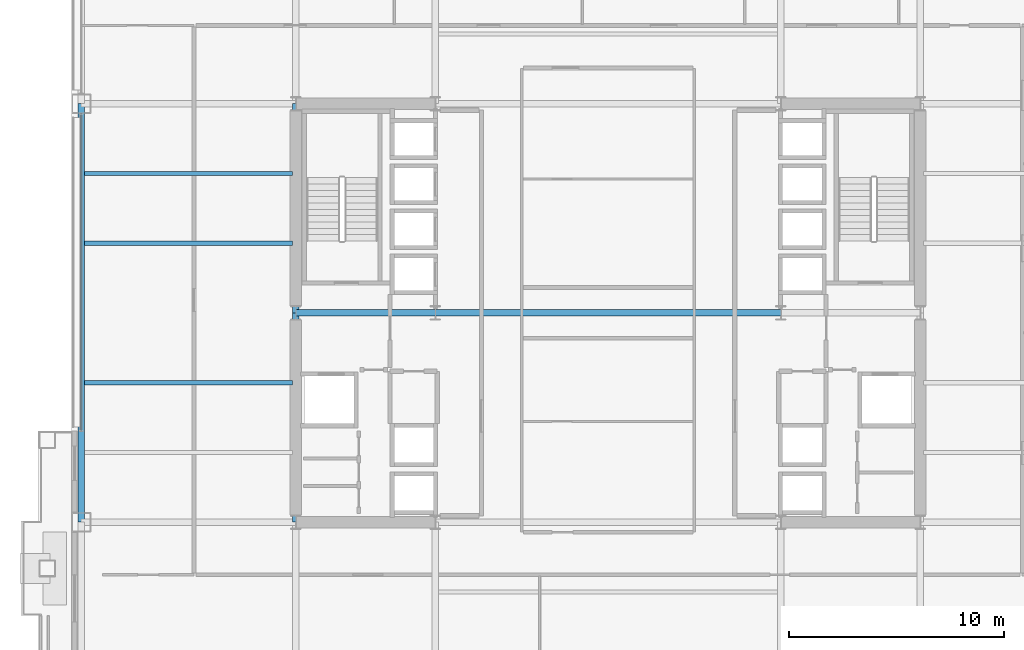
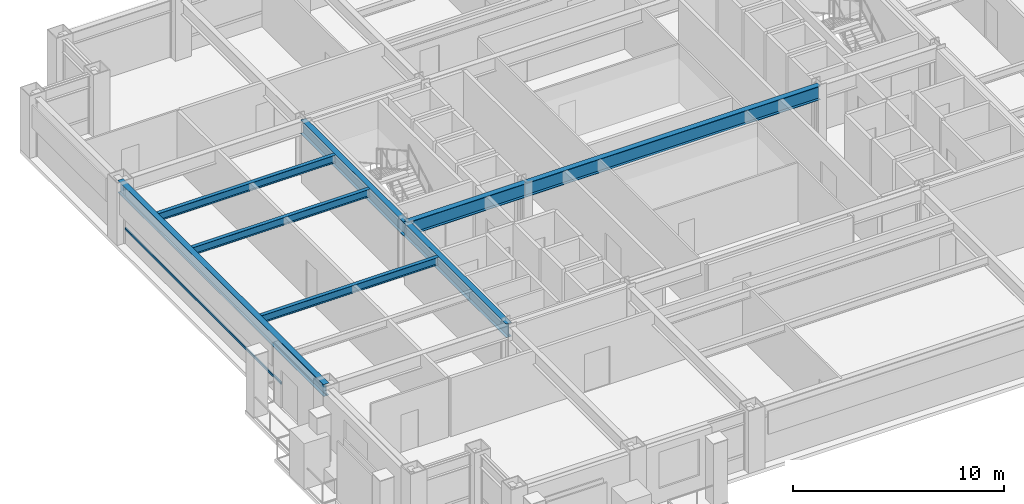
# One storey, part 7 of 28: 8 beams, 1 member, 1 element without a shape of its own.
"""IFC4 building model written with IfcOpenShell, lengths in metres."""

from ifc_helpers import new_model, si_unit, direction, frame, origin, origin_2d, place, context, subcontext, project, spatial, hollow_rectangle, i_section, extrude, material, layer, layer_set, material_profile, profile_set, type_object, element, aggregate, save


model = new_model("IFC4")

# Units and contexts
model_context = context("Model", 3, precision=1e-05, world=origin(), true_north=direction((0.0, 1.0)))
body_context = subcontext(model_context, "Body", "Model", "MODEL_VIEW")
ifc_project = project(units=[si_unit("LENGTHUNIT", "METRE"), si_unit("AREAUNIT", "SQUARE_METRE"), si_unit("VOLUMEUNIT", "CUBIC_METRE"), si_unit("PLANEANGLEUNIT", "RADIAN"), si_unit("MASSUNIT", "GRAM", prefix="KILO")], contexts=[model_context])

# Site, building, storey
site_placement = place(None, origin())
site = spatial("IfcSite", under=ifc_project, at=site_placement, CompositionType="ELEMENT")
building_placement = place(site_placement, origin())
building = spatial("IfcBuilding", under=site, at=building_placement, Name="Brelmoor Portico Tower", CompositionType="ELEMENT")
storey_placement = place(building_placement, frame((0.0, 0.0, 70.800048828125)))
storey = spatial("IfcBuildingStorey", under=building, at=storey_placement, Name="L18", CompositionType="ELEMENT", Elevation=70.800048828125)

# Beams
ifc_material_1 = material(Name="Steel Q355B", Category="steel")
ifc_material_profile_1 = material_profile(ifc_material_1, i_section(OverallWidth=0.199951171875, OverallDepth=0.449951171875, WebThickness=0.009033203125, FlangeThickness=0.013916015625, at=origin_2d()), Name="HN 450x200x9x14")
ifc_profile_set_1 = profile_set([ifc_material_profile_1], Name="Steel Q355B")
beam_type_1 = type_object("IfcBeamType", Name="BM-JS-450", PredefinedType="JOIST", material=ifc_profile_set_1)
for number, where, z_axis, x_axis, name in (
    (1, (-24.39990234375, -3.25, 3.175048828125), (1.0, 0.0, 0.0), (0.0, 1.0, 0.0), "L18 Secondary Wing Joist JS-W06"),
    (2, (-24.39990234375, 3.25, 3.175048828125), (1.0, 0.0, 0.0), (0.0, 1.0, 0.0), "L18 Secondary Wing Joist JS-W07"),
    (3, (-24.39990234375, 6.5, 3.175048828125), (1.0, 0.0, 0.0), (0.0, 1.0, 0.0), "L18 Secondary Wing Joist JS-W08"),
):
    element("IfcBeam", number, at=place(storey_placement, frame(where, z_axis=z_axis, x_axis=x_axis)), inside=storey, type_object=beam_type_1, Name=name, PredefinedType="JOIST", context=body_context, shape_type="SweptSolid", body=[
        extrude(i_section(OverallWidth=0.199951171875, OverallDepth=0.449951171875, WebThickness=0.009033203125, FlangeThickness=0.013916015625, at=origin_2d()), origin(), (0.0, 0.0, 1.0), 9.699951171875),
    ])
ifc_material_profile_2 = material_profile(ifc_material_1, i_section(OverallWidth=0.300048828125, OverallDepth=0.800048828125, WebThickness=0.013916015625, FlangeThickness=0.02587890625, at=origin_2d()), Name="HN 800x300x14x26")
ifc_profile_set_2 = profile_set([ifc_material_profile_2], Name="Steel Q355B")
beam_type_2 = type_object("IfcBeamType", Name="BM-PG-800", PredefinedType="BEAM", material=ifc_profile_set_2)
for number, where, z_axis, x_axis, name in (
    (4, (-14.550048828125, -9.75, 3.0), (0.0, 1.0, 0.0), (-1.0, 0.0, 0.0), "L18 Primary Floor Girder PG-04"),
    (5, (-14.550048828125, 0.0, 3.0), (0.0, 1.0, 0.0), (-1.0, 0.0, 0.0), "L18 Primary Floor Girder PG-05"),
):
    element("IfcBeam", number, at=place(storey_placement, frame(where, z_axis=z_axis, x_axis=x_axis)), inside=storey, type_object=beam_type_2, Name=name, PredefinedType="BEAM", context=body_context, shape_type="SweptSolid", body=[
        extrude(i_section(OverallWidth=0.300048828125, OverallDepth=0.800048828125, WebThickness=0.013916015625, FlangeThickness=0.02587890625, at=origin_2d()), origin(), (0.0, 0.0, 1.0), 9.75),
    ])
beam_1_placement = place(storey_placement, frame((-14.550048828125, 0.0, 3.0), z_axis=(1.0, 0.0, 0.0), x_axis=(0.0, 1.0, 0.0)))
element("IfcBeam", 6, at=beam_1_placement, inside=storey, type_object=beam_type_2, Name="L18 Primary Floor Girder PG-24", PredefinedType="BEAM", context=body_context, shape_type="SweptSolid", body=[
    extrude(i_section(OverallWidth=0.300048828125, OverallDepth=0.800048828125, WebThickness=0.013916015625, FlangeThickness=0.02587890625, at=origin_2d()), origin(), (0.0, 0.0, 1.0), 6.5),
])
beam_2_placement = place(storey_placement, frame((-8.050048828125, 0.0, 3.0), z_axis=(1.0, 0.0, 0.0), x_axis=(0.0, 1.0, 0.0)))
element("IfcBeam", 7, at=beam_2_placement, inside=storey, type_object=beam_type_2, Name="L18 Primary Floor Girder PG-25", PredefinedType="BEAM", context=body_context, shape_type="SweptSolid", body=[
    extrude(i_section(OverallWidth=0.300048828125, OverallDepth=0.800048828125, WebThickness=0.013916015625, FlangeThickness=0.02587890625, at=origin_2d()), origin(), (0.0, 0.0, 1.0), 16.10009765625),
])
ifc_material_profile_3 = material_profile(ifc_material_1, i_section(OverallWidth=0.300048828125, OverallDepth=0.699951171875, WebThickness=0.012939453125, FlangeThickness=0.02392578125, at=origin_2d()), Name="HN 700x300x13x24")
ifc_profile_set_3 = profile_set([ifc_material_profile_3], Name="Steel Q355B")
beam_type_3 = type_object("IfcBeamType", Name="BM-SP-700", PredefinedType="SPANDREL", material=ifc_profile_set_3)
beam_3_placement = place(storey_placement, frame((-24.550048828125, -9.75, 3.050048828125), z_axis=(0.0, 1.0, 0.0), x_axis=(-1.0, 0.0, 0.0)))
element("IfcBeam", 8, at=beam_3_placement, inside=storey, type_object=beam_type_3, Name="L18 Perimeter Spandrel Beam SP-16", PredefinedType="SPANDREL", context=body_context, shape_type="SweptSolid", body=[
    extrude(i_section(OverallWidth=0.300048828125, OverallDepth=0.699951171875, WebThickness=0.012939453125, FlangeThickness=0.02392578125, at=origin_2d()), origin(), (0.0, 0.0, 1.0), 19.5),
])

# Curtain wall, member
ifc_material_2 = material(Name="Anodised Aluminium Alloy 6063-T6", Category="aluminium")
ifc_layer = layer(ifc_material_2, 0.179931640625)
ifc_layer_set = layer_set([ifc_layer], Name="Anodised Aluminium Alloy 6063-T6")
curtain_wall_type = type_object("IfcCurtainWallType", Name="CW-TOWER-Z1", PredefinedType="NOTDEFINED", material=ifc_layer_set)
curtain_wall_placement = place(storey_placement, origin())
curtain_wall = element("IfcCurtainWall", 9, at=curtain_wall_placement, inside=storey, type_object=curtain_wall_type, Name="L18 Curtain Wall CW-L18-3R-1", PredefinedType="NOTDEFINED")
ifc_material_profile_4 = material_profile(ifc_material_2, hollow_rectangle(XDim=0.06494140625, YDim=0.139892578125, WallThickness=0.00390625, at=origin_2d()), Name="ALU TRANSOM 65x140")
ifc_profile_set_4 = profile_set([ifc_material_profile_4], Name="Anodised Aluminium Alloy 6063-T6")
member_type = type_object("IfcMemberType", Name="MB-CW-TRAN-140", PredefinedType="USERDEFINED", material=ifc_profile_set_4)
member_placement = place(storey_placement, frame((-24.550048828125, -5.5, 0.849853515625), z_axis=(0.0, 1.0, 0.0), x_axis=(-1.0, 0.0, 0.0)))
member = element("IfcMember", 10, at=member_placement, type_object=member_type, Name="CW-L18-3R-1 Transom 1-00", ObjectType="TRANSOM", PredefinedType="USERDEFINED", context=body_context, shape_type="SweptSolid", body=[
    extrude(hollow_rectangle(XDim=0.06494140625, YDim=0.139892578125, WallThickness=0.00390625, at=origin_2d()), origin(), (0.0, 0.0, 1.0), 14.7900390625),
])
aggregate(curtain_wall, [member])

save(model, "model.ifc")
